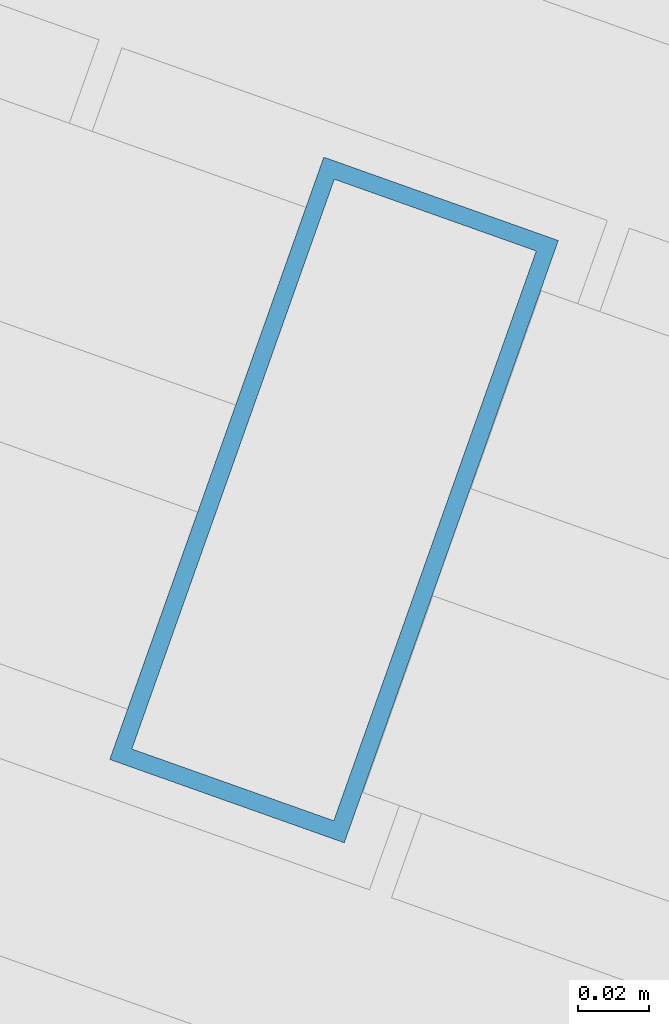
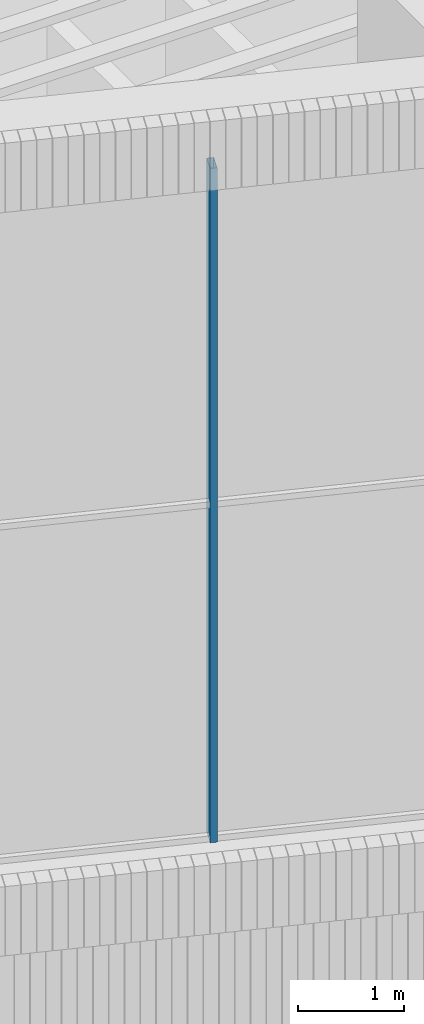
# One storey, part 24 of 117: 1 member, 1 element without a shape of its own.
"""IFC4 building model written with IfcOpenShell, lengths in metres."""

from ifc_helpers import new_model, si_unit, direction, frame, origin, origin_2d, place, context, subcontext, project, spatial, hollow_rectangle, extrude, material, layer, layer_set, material_profile, profile_set, type_object, element, aggregate, save


model = new_model("IFC4")

# Units and contexts
model_context = context("Model", 3, precision=1e-05, world=origin(), true_north=direction((0.0, 1.0)))
body_context = subcontext(model_context, "Body", "Model", "MODEL_VIEW")
ifc_project = project(units=[si_unit("LENGTHUNIT", "METRE"), si_unit("AREAUNIT", "SQUARE_METRE"), si_unit("VOLUMEUNIT", "CUBIC_METRE"), si_unit("PLANEANGLEUNIT", "RADIAN"), si_unit("MASSUNIT", "GRAM", prefix="KILO")], contexts=[model_context])

# Site, building, storey
site_placement = place(None, origin())
site = spatial("IfcSite", under=ifc_project, at=site_placement, CompositionType="ELEMENT")
building_placement = place(site_placement, origin())
building = spatial("IfcBuilding", under=site, at=building_placement, Name="Tarsis Ring Headquarters", CompositionType="ELEMENT")
storey_placement = place(building_placement, frame((0.0, 0.0, 403.60009765625)))
storey = spatial("IfcBuildingStorey", under=building, at=storey_placement, Name="L95", CompositionType="ELEMENT", Elevation=403.60009765625)

# Curtain wall, member
ifc_material_1 = material(Name="Aluminium curtain wall", Category="aluminium")
ifc_layer = layer(ifc_material_1, 0.179931640625)
ifc_layer_set = layer_set([ifc_layer], Name="Curtain wall crown glazing")
curtain_wall_type = type_object("IfcCurtainWallType", Name="Curtain wall crown glazing", PredefinedType="NOTDEFINED", material=ifc_layer_set)
curtain_wall_placement = place(storey_placement, origin())
curtain_wall = element("IfcCurtainWall", 1, at=curtain_wall_placement, inside=storey, type_object=curtain_wall_type, Name="Crown glazing U20", PredefinedType="NOTDEFINED")
ifc_material_2 = material(Name="Aluminium mullion", Category="aluminium")
ifc_material_profile = material_profile(ifc_material_2, hollow_rectangle(XDim=0.179931640625, YDim=0.070068359375, WallThickness=0.0048828125, at=origin_2d()), Name="RHS 180x70x5")
ifc_profile_set = profile_set([ifc_material_profile], Name="Aluminium mullion")
member_type = type_object("IfcMemberType", Name="Crown glazing mullion RHS 180x70x5", PredefinedType="MULLION", material=ifc_profile_set)
member_placement = place(storey_placement, frame((-11.107177734375, -26.346435546875, 14.39990234375), z_axis=(0.0, 0.0, 1.0), x_axis=(0.334875807731, 0.942262274209, 0.0)))
member = element("IfcMember", 2, at=member_placement, type_object=member_type, Name="CW-C mullion 2", PredefinedType="MULLION", context=body_context, shape_type="SweptSolid", body=[
    extrude(hollow_rectangle(XDim=0.179931640625, YDim=0.070068359375, WallThickness=0.0048828125, at=origin_2d()), origin(), (0.0, 0.0, 1.0), 7.800048828125),
])
aggregate(curtain_wall, [member])

save(model, "model.ifc")
